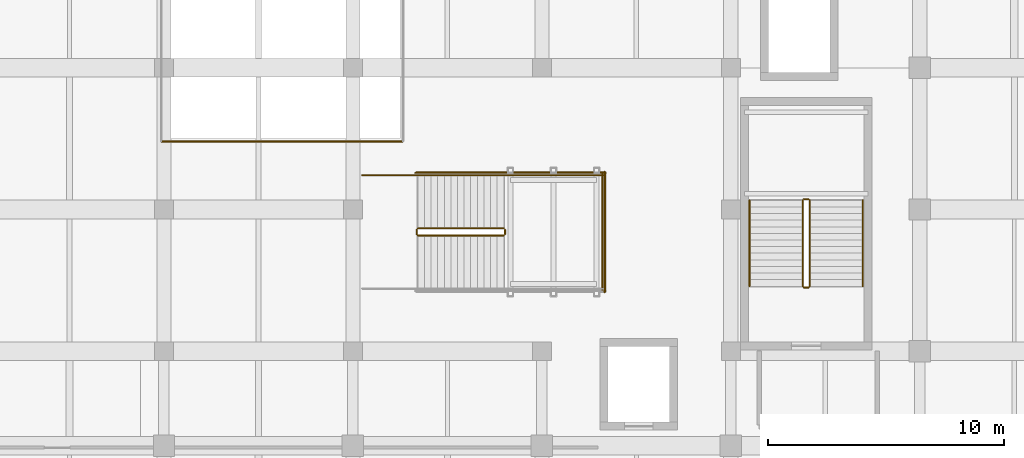
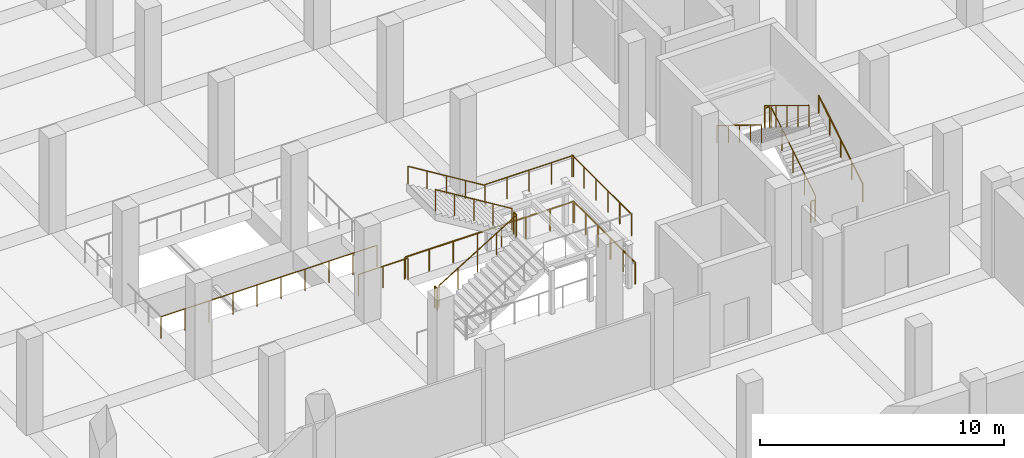
# One storey, part 32 of 36: 19 railings.
"""IFC4 building model written with IfcOpenShell, lengths in metres."""

from ifc_helpers import new_model, si_unit, direction, frame, origin, origin_2d, place, context, subcontext, project, spatial, circle, extrude, material, type_object, element, save


model = new_model("IFC4")

# Units and contexts
model_context = context("Model", 3, precision=1e-05, world=origin(), true_north=direction((0.0, 1.0)))
body_context = subcontext(model_context, "Body", "Model", "MODEL_VIEW")
ifc_project = project(units=[si_unit("LENGTHUNIT", "METRE"), si_unit("AREAUNIT", "SQUARE_METRE"), si_unit("VOLUMEUNIT", "CUBIC_METRE"), si_unit("PLANEANGLEUNIT", "RADIAN"), si_unit("MASSUNIT", "GRAM", prefix="KILO")], contexts=[model_context])

# Site, building, storey
site_placement = place(None, origin())
site = spatial("IfcSite", under=ifc_project, at=site_placement, CompositionType="ELEMENT")
building_placement = place(site_placement, origin())
building = spatial("IfcBuilding", under=site, at=building_placement, Name="Verrall Gate Interchange", CompositionType="ELEMENT")
storey_placement = place(building_placement, frame((0.0, 0.0, -4.800048828125)))
storey = spatial("IfcBuildingStorey", under=building, at=storey_placement, Name="B1", CompositionType="ELEMENT", Elevation=-4.800048828125)

# Railings
ifc_material_1 = material(Name="Brushed Stainless-Steel Guardrail and Handrail System", Category="steel")
railing_type_1 = type_object("IfcRailingType", Name="GR-02 Interior Atrium and Stair Guardrail 1100", PredefinedType="GUARDRAIL", material=ifc_material_1)
railing_1_placement = place(storey_placement, frame((103.340087890625, 18.75, 0.17138671875)))
element("IfcRailing", 1, at=railing_1_placement, inside=storey, type_object=railing_type_1, Name="B1 ST-06 stair guard 1", PredefinedType="GUARDRAIL", context=body_context, shape_type="SweptSolid", body=[
    extrude(circle(Radius=0.02392578125, at=origin_2d()), frame((0.0, 0.0, 1.076171875), z_axis=(0.0, 0.852824790078, 0.522197163366), x_axis=(-1.0, 0.0, 0.0)), (0.0, 0.0, 1.0), 4.26806640625),
    extrude(circle(Radius=0.02099609375, at=origin_2d()), origin(), (0.0, 0.0, 1.0), 1.052001953125),
    extrude(circle(Radius=0.02099609375, at=origin_2d()), frame((0.0, 0.909912109375, 0.55712890625)), (0.0, 0.0, 1.0), 1.052001953125),
    extrude(circle(Radius=0.02099609375, at=origin_2d()), frame((0.0, 1.81982421875, 1.1142578125)), (0.0, 0.0, 1.0), 1.052001953125),
    extrude(circle(Radius=0.02099609375, at=origin_2d()), frame((0.0, 2.72998046875, 1.671630859375)), (0.0, 0.0, 1.0), 1.052001953125),
    extrude(circle(Radius=0.02099609375, at=origin_2d()), frame((0.0, 3.639892578125, 2.228759765625)), (0.0, 0.0, 1.0), 1.052001953125),
])
railing_2_placement = place(storey_placement, frame((103.2900390625, 22.43994140625, 2.400146484375)))
element("IfcRailing", 2, at=railing_2_placement, inside=storey, type_object=railing_type_1, Name="B1 ST-06 stair guard 2", PredefinedType="GUARDRAIL", context=body_context, shape_type="SweptSolid", body=[
    extrude(circle(Radius=0.02392578125, at=origin_2d()), frame((0.0, 0.0, 1.076171875), z_axis=(-1.0, 0.0, 0.0), x_axis=(0.0, -1.0, 0.0)), (0.0, 0.0, 1.0), 0.199951171875),
    extrude(circle(Radius=0.02099609375, at=origin_2d()), origin(), (0.0, 0.0, 1.0), 1.052001953125),
    extrude(circle(Radius=0.02099609375, at=origin_2d()), frame((-0.199951171875, 0.0, 0.0)), (0.0, 0.0, 1.0), 1.052001953125),
])
railing_3_placement = place(storey_placement, frame((103.0400390625, 22.389892578125, 2.571533203125)))
element("IfcRailing", 3, at=railing_3_placement, inside=storey, type_object=railing_type_1, Name="B1 ST-06 stair guard 3", PredefinedType="GUARDRAIL", context=body_context, shape_type="SweptSolid", body=[
    extrude(circle(Radius=0.02392578125, at=origin_2d()), frame((0.0, 0.0, 1.076171875), z_axis=(0.0, -0.852850264322, 0.5221555579), x_axis=(1.0, 0.0, 0.0)), (0.0, 0.0, 1.0), 4.267822265625),
    extrude(circle(Radius=0.02099609375, at=origin_2d()), origin(), (0.0, 0.0, 1.0), 1.052001953125),
    extrude(circle(Radius=0.02099609375, at=origin_2d()), frame((0.0, -0.909912109375, 0.55712890625)), (0.0, 0.0, 1.0), 1.052001953125),
    extrude(circle(Radius=0.02099609375, at=origin_2d()), frame((0.0, -1.81982421875, 1.1142578125)), (0.0, 0.0, 1.0), 1.052001953125),
    extrude(circle(Radius=0.02099609375, at=origin_2d()), frame((0.0, -2.72998046875, 1.67138671875)), (0.0, 0.0, 1.0), 1.052001953125),
    extrude(circle(Radius=0.02099609375, at=origin_2d()), frame((0.0, -3.639892578125, 2.228515625)), (0.0, 0.0, 1.0), 1.052001953125),
])
railing_4_placement = place(storey_placement, frame((103.2900390625, 18.699951171875, 0.0)))
element("IfcRailing", 4, at=railing_4_placement, inside=storey, type_object=railing_type_1, Name="B1 ST-06 stair guard 4", PredefinedType="GUARDRAIL", context=body_context, shape_type="SweptSolid", body=[
    extrude(circle(Radius=0.02392578125, at=origin_2d()), frame((0.0, 0.0, 1.076171875), z_axis=(-1.0, 0.0, 0.0), x_axis=(0.0, -1.0, 0.0)), (0.0, 0.0, 1.0), 0.199951171875),
    extrude(circle(Radius=0.02099609375, at=origin_2d()), origin(), (0.0, 0.0, 1.0), 1.052001953125),
    extrude(circle(Radius=0.02099609375, at=origin_2d()), frame((-0.199951171875, 0.0, 0.0)), (0.0, 0.0, 1.0), 1.052001953125),
])
railing_5_placement = place(storey_placement, frame((86.75, 20.89990234375, 0.17138671875)))
element("IfcRailing", 5, at=railing_5_placement, inside=storey, type_object=railing_type_1, Name="B1 ST-11 stair guard 1", PredefinedType="GUARDRAIL", context=body_context, shape_type="SweptSolid", body=[
    extrude(circle(Radius=0.02392578125, at=origin_2d()), frame((0.0, 0.0, 1.076171875), z_axis=(0.852824790078, 0.0, 0.522197163366), x_axis=(0.0, 1.0, 0.0)), (0.0, 0.0, 1.0), 4.26806640625),
    extrude(circle(Radius=0.02099609375, at=origin_2d()), origin(), (0.0, 0.0, 1.0), 1.052001953125),
    extrude(circle(Radius=0.02099609375, at=origin_2d()), frame((0.909912109375, 0.0, 0.55712890625)), (0.0, 0.0, 1.0), 1.052001953125),
    extrude(circle(Radius=0.02099609375, at=origin_2d()), frame((1.81982421875, 0.0, 1.1142578125)), (0.0, 0.0, 1.0), 1.052001953125),
    extrude(circle(Radius=0.02099609375, at=origin_2d()), frame((2.72998046875, 0.0, 1.671630859375)), (0.0, 0.0, 1.0), 1.052001953125),
    extrude(circle(Radius=0.02099609375, at=origin_2d()), frame((3.639892578125, 0.0, 2.228759765625)), (0.0, 0.0, 1.0), 1.052001953125),
])
railing_6_placement = place(storey_placement, frame((90.43994140625, 20.949951171875, 2.400146484375)))
element("IfcRailing", 6, at=railing_6_placement, inside=storey, type_object=railing_type_1, Name="B1 ST-11 stair guard 2", PredefinedType="GUARDRAIL", context=body_context, shape_type="SweptSolid", body=[
    extrude(circle(Radius=0.02392578125, at=origin_2d()), frame((0.0, 0.0, 1.076171875), z_axis=(0.0, 1.0, 0.0), x_axis=(-1.0, 0.0, 0.0)), (0.0, 0.0, 1.0), 0.199951171875),
    extrude(circle(Radius=0.02099609375, at=origin_2d()), origin(), (0.0, 0.0, 1.0), 1.052001953125),
    extrude(circle(Radius=0.02099609375, at=origin_2d()), frame((0.0, 0.199951171875, 0.0)), (0.0, 0.0, 1.0), 1.052001953125),
])
railing_7_placement = place(storey_placement, frame((90.389892578125, 23.449951171875, 2.400146484375)))
element("IfcRailing", 7, at=railing_7_placement, inside=storey, type_object=railing_type_1, Name="B1 ST-11 stair guard 4", PredefinedType="GUARDRAIL", context=body_context, shape_type="SweptSolid", body=[
    extrude(circle(Radius=0.02392578125, at=origin_2d()), frame((0.0, 0.0, 1.076171875), z_axis=(1.0, 0.0, 0.0), x_axis=(0.0, 1.0, 0.0)), (0.0, 0.0, 1.0), 4.210205078125),
    extrude(circle(Radius=0.02099609375, at=origin_2d()), origin(), (0.0, 0.0, 1.0), 1.052001953125),
    extrude(circle(Radius=0.02099609375, at=origin_2d()), frame((1.052490234375, 0.0, 0.0)), (0.0, 0.0, 1.0), 1.052001953125),
    extrude(circle(Radius=0.02099609375, at=origin_2d()), frame((2.10498046875, 0.0, 0.0)), (0.0, 0.0, 1.0), 1.052001953125),
    extrude(circle(Radius=0.02099609375, at=origin_2d()), frame((3.15771484375, 0.0, 0.0)), (0.0, 0.0, 1.0), 1.052001953125),
    extrude(circle(Radius=0.02099609375, at=origin_2d()), frame((4.210205078125, 0.0, 0.0)), (0.0, 0.0, 1.0), 1.052001953125),
])
railing_8_placement = place(storey_placement, frame((94.550048828125, 18.60009765625, 2.400146484375)))
element("IfcRailing", 8, at=railing_8_placement, inside=storey, type_object=railing_type_1, Name="B1 ST-11 stair guard 5", PredefinedType="GUARDRAIL", context=body_context, shape_type="SweptSolid", body=[
    extrude(circle(Radius=0.02392578125, at=origin_2d()), frame((0.0, 0.0, 1.076171875), z_axis=(0.0, 1.0, 0.0), x_axis=(-1.0, 0.0, 0.0)), (0.0, 0.0, 1.0), 4.89990234375),
    extrude(circle(Radius=0.02099609375, at=origin_2d()), origin(), (0.0, 0.0, 1.0), 1.052001953125),
    extrude(circle(Radius=0.02099609375, at=origin_2d()), frame((0.0, 0.97998046875, 0.0)), (0.0, 0.0, 1.0), 1.052001953125),
    extrude(circle(Radius=0.02099609375, at=origin_2d()), frame((0.0, 1.9599609375, 0.0)), (0.0, 0.0, 1.0), 1.052001953125),
    extrude(circle(Radius=0.02099609375, at=origin_2d()), frame((0.0, 2.93994140625, 0.0)), (0.0, 0.0, 1.0), 1.052001953125),
    extrude(circle(Radius=0.02099609375, at=origin_2d()), frame((0.0, 3.919921875, 0.0)), (0.0, 0.0, 1.0), 1.052001953125),
    extrude(circle(Radius=0.02099609375, at=origin_2d()), frame((0.0, 4.89990234375, 0.0)), (0.0, 0.0, 1.0), 1.052001953125),
])
railing_9_placement = place(storey_placement, frame((90.389892578125, 21.199951171875, 2.571533203125)))
element("IfcRailing", 9, at=railing_9_placement, inside=storey, type_object=railing_type_1, Name="B1 ST-11 stair guard 6", PredefinedType="GUARDRAIL", context=body_context, shape_type="SweptSolid", body=[
    extrude(circle(Radius=0.02392578125, at=origin_2d()), frame((0.0, 0.0, 1.076171875), z_axis=(-0.852850264322, 0.0, 0.5221555579), x_axis=(0.0, -1.0, 0.0)), (0.0, 0.0, 1.0), 4.267822265625),
    extrude(circle(Radius=0.02099609375, at=origin_2d()), origin(), (0.0, 0.0, 1.0), 1.052001953125),
    extrude(circle(Radius=0.02099609375, at=origin_2d()), frame((-0.909912109375, 0.0, 0.55712890625)), (0.0, 0.0, 1.0), 1.052001953125),
    extrude(circle(Radius=0.02099609375, at=origin_2d()), frame((-1.81982421875, 0.0, 1.1142578125)), (0.0, 0.0, 1.0), 1.052001953125),
    extrude(circle(Radius=0.02099609375, at=origin_2d()), frame((-2.72998046875, 0.0, 1.67138671875)), (0.0, 0.0, 1.0), 1.052001953125),
    extrude(circle(Radius=0.02099609375, at=origin_2d()), frame((-3.639892578125, 0.0, 2.228515625)), (0.0, 0.0, 1.0), 1.052001953125),
])
railing_10_placement = place(storey_placement, frame((86.699951171875, 20.949951171875, 0.0)))
element("IfcRailing", 10, at=railing_10_placement, inside=storey, type_object=railing_type_1, Name="B1 ST-11 stair guard 7", PredefinedType="GUARDRAIL", context=body_context, shape_type="SweptSolid", body=[
    extrude(circle(Radius=0.02392578125, at=origin_2d()), frame((0.0, 0.0, 1.076171875), z_axis=(0.0, 1.0, 0.0), x_axis=(-1.0, 0.0, 0.0)), (0.0, 0.0, 1.0), 0.199951171875),
    extrude(circle(Radius=0.02099609375, at=origin_2d()), origin(), (0.0, 0.0, 1.0), 1.052001953125),
    extrude(circle(Radius=0.02099609375, at=origin_2d()), frame((0.0, 0.199951171875, 0.0)), (0.0, 0.0, 1.0), 1.052001953125),
])
railing_11_placement = place(storey_placement, frame((84.39990234375, 23.449951171875, 0.0)))
element("IfcRailing", 11, at=railing_11_placement, inside=storey, type_object=railing_type_1, Name="B1 ST-11 stair guard 9", PredefinedType="GUARDRAIL", context=body_context, shape_type="SweptSolid", body=[
    extrude(circle(Radius=0.02392578125, at=origin_2d()), frame((0.0, 0.0, 1.076171875), z_axis=(1.0, 0.0, 0.0), x_axis=(0.0, 1.0, 0.0)), (0.0, 0.0, 1.0), 2.35009765625),
    extrude(circle(Radius=0.02099609375, at=origin_2d()), origin(), (0.0, 0.0, 1.0), 1.052001953125),
    extrude(circle(Radius=0.02099609375, at=origin_2d()), frame((1.175048828125, 0.0, 0.0)), (0.0, 0.0, 1.0), 1.052001953125),
    extrude(circle(Radius=0.02099609375, at=origin_2d()), frame((2.35009765625, 0.0, 0.0)), (0.0, 0.0, 1.0), 1.052001953125),
])
railing_12_placement = place(storey_placement, frame((86.64990234375, 23.550048828125, 0.0)))
element("IfcRailing", 12, at=railing_12_placement, inside=storey, type_object=railing_type_1, Name="B1 ST-11 stair guard 11", PredefinedType="GUARDRAIL", context=body_context, shape_type="SweptSolid", body=[
    extrude(circle(Radius=0.02392578125, at=origin_2d()), frame((0.0, 0.0, 1.076171875), z_axis=(1.0, 0.0, 0.0), x_axis=(0.0, 1.0, 0.0)), (0.0, 0.0, 1.0), 8.050048828125),
    extrude(circle(Radius=0.02099609375, at=origin_2d()), origin(), (0.0, 0.0, 1.0), 1.052001953125),
    extrude(circle(Radius=0.02099609375, at=origin_2d()), frame((1.14990234375, 0.0, 0.0)), (0.0, 0.0, 1.0), 1.052001953125),
    extrude(circle(Radius=0.02099609375, at=origin_2d()), frame((2.300048828125, 0.0, 0.0)), (0.0, 0.0, 1.0), 1.052001953125),
    extrude(circle(Radius=0.02099609375, at=origin_2d()), frame((3.449951171875, 0.0, 0.0)), (0.0, 0.0, 1.0), 1.052001953125),
    extrude(circle(Radius=0.02099609375, at=origin_2d()), frame((4.60009765625, 0.0, 0.0)), (0.0, 0.0, 1.0), 1.052001953125),
    extrude(circle(Radius=0.02099609375, at=origin_2d()), frame((5.75, 0.0, 0.0)), (0.0, 0.0, 1.0), 1.052001953125),
    extrude(circle(Radius=0.02099609375, at=origin_2d()), frame((6.900146484375, 0.0, 0.0)), (0.0, 0.0, 1.0), 1.052001953125),
    extrude(circle(Radius=0.02099609375, at=origin_2d()), frame((8.050048828125, 0.0, 0.0)), (0.0, 0.0, 1.0), 1.052001953125),
])
railing_13_placement = place(storey_placement, frame((94.64990234375, 18.5, 0.0)))
element("IfcRailing", 13, at=railing_13_placement, inside=storey, type_object=railing_type_1, Name="B1 ST-11 stair guard 12", PredefinedType="GUARDRAIL", context=body_context, shape_type="SweptSolid", body=[
    extrude(circle(Radius=0.02392578125, at=origin_2d()), frame((0.0, 0.0, 1.076171875), z_axis=(0.0, 1.0, 0.0), x_axis=(-1.0, 0.0, 0.0)), (0.0, 0.0, 1.0), 5.10009765625),
    extrude(circle(Radius=0.02099609375, at=origin_2d()), origin(), (0.0, 0.0, 1.0), 1.052001953125),
    extrude(circle(Radius=0.02099609375, at=origin_2d()), frame((0.0, 1.02001953125, 0.0)), (0.0, 0.0, 1.0), 1.052001953125),
    extrude(circle(Radius=0.02099609375, at=origin_2d()), frame((0.0, 2.0400390625, 0.0)), (0.0, 0.0, 1.0), 1.052001953125),
    extrude(circle(Radius=0.02099609375, at=origin_2d()), frame((0.0, 3.06005859375, 0.0)), (0.0, 0.0, 1.0), 1.052001953125),
    extrude(circle(Radius=0.02099609375, at=origin_2d()), frame((0.0, 4.080078125, 0.0)), (0.0, 0.0, 1.0), 1.052001953125),
    extrude(circle(Radius=0.02099609375, at=origin_2d()), frame((0.0, 5.10009765625, 0.0)), (0.0, 0.0, 1.0), 1.052001953125),
])
railing_14_placement = place(storey_placement, frame((94.679931640625, 18.52001953125, 0.0)))
element("IfcRailing", 14, at=railing_14_placement, inside=storey, type_object=railing_type_1, Name="B1 ST-11 Well Edge Guardrail 2", PredefinedType="GUARDRAIL", context=body_context, shape_type="SweptSolid", body=[
    extrude(circle(Radius=0.02392578125, at=origin_2d()), frame((0.0, 0.0, 1.076171875), z_axis=(0.0, 1.0, 0.0), x_axis=(-1.0, 0.0, 0.0)), (0.0, 0.0, 1.0), 5.06005859375),
    extrude(circle(Radius=0.02099609375, at=origin_2d()), origin(), (0.0, 0.0, 1.0), 1.052001953125),
    extrude(circle(Radius=0.02099609375, at=origin_2d()), frame((0.0, 1.011962890625, 0.0)), (0.0, 0.0, 1.0), 1.052001953125),
    extrude(circle(Radius=0.02099609375, at=origin_2d()), frame((0.0, 2.02392578125, 0.0)), (0.0, 0.0, 1.0), 1.052001953125),
    extrude(circle(Radius=0.02099609375, at=origin_2d()), frame((0.0, 3.0361328125, 0.0)), (0.0, 0.0, 1.0), 1.052001953125),
    extrude(circle(Radius=0.02099609375, at=origin_2d()), frame((0.0, 4.048095703125, 0.0)), (0.0, 0.0, 1.0), 1.052001953125),
    extrude(circle(Radius=0.02099609375, at=origin_2d()), frame((0.0, 5.06005859375, 0.0)), (0.0, 0.0, 1.0), 1.052001953125),
])
railing_15_placement = place(storey_placement, frame((94.679931640625, 23.580078125, 0.0)))
element("IfcRailing", 15, at=railing_15_placement, inside=storey, type_object=railing_type_1, Name="B1 ST-11 Well Edge Guardrail 3", PredefinedType="GUARDRAIL", context=body_context, shape_type="SweptSolid", body=[
    extrude(circle(Radius=0.02392578125, at=origin_2d()), frame((0.0, 0.0, 1.076171875), z_axis=(-1.0, 0.0, 0.0), x_axis=(0.0, -1.0, 0.0)), (0.0, 0.0, 1.0), 7.97998046875),
    extrude(circle(Radius=0.02099609375, at=origin_2d()), origin(), (0.0, 0.0, 1.0), 1.052001953125),
    extrude(circle(Radius=0.02099609375, at=origin_2d()), frame((-1.139892578125, 0.0, 0.0)), (0.0, 0.0, 1.0), 1.052001953125),
    extrude(circle(Radius=0.02099609375, at=origin_2d()), frame((-2.280029296875, 0.0, 0.0)), (0.0, 0.0, 1.0), 1.052001953125),
    extrude(circle(Radius=0.02099609375, at=origin_2d()), frame((-3.419921875, 0.0, 0.0)), (0.0, 0.0, 1.0), 1.052001953125),
    extrude(circle(Radius=0.02099609375, at=origin_2d()), frame((-4.56005859375, 0.0, 0.0)), (0.0, 0.0, 1.0), 1.052001953125),
    extrude(circle(Radius=0.02099609375, at=origin_2d()), frame((-5.699951171875, 0.0, 0.0)), (0.0, 0.0, 1.0), 1.052001953125),
    extrude(circle(Radius=0.02099609375, at=origin_2d()), frame((-6.840087890625, 0.0, 0.0)), (0.0, 0.0, 1.0), 1.052001953125),
    extrude(circle(Radius=0.02099609375, at=origin_2d()), frame((-7.97998046875, 0.0, 0.0)), (0.0, 0.0, 1.0), 1.052001953125),
])
railing_16_placement = place(storey_placement, frame((75.8798828125, 24.8798828125, 0.0)))
element("IfcRailing", 16, at=railing_16_placement, inside=storey, type_object=railing_type_1, Name="B1 ESC-E Perimeter Guardrail 21", PredefinedType="GUARDRAIL", context=body_context, shape_type="SweptSolid", body=[
    extrude(circle(Radius=0.02392578125, at=origin_2d()), frame((0.0, 0.0, 1.076171875), z_axis=(1.0, 0.0, 0.0), x_axis=(0.0, 1.0, 0.0)), (0.0, 0.0, 1.0), 10.240234375),
    extrude(circle(Radius=0.02099609375, at=origin_2d()), origin(), (0.0, 0.0, 1.0), 1.052001953125),
    extrude(circle(Radius=0.02099609375, at=origin_2d()), frame((1.1376953125, 0.0, 0.0)), (0.0, 0.0, 1.0), 1.052001953125),
    extrude(circle(Radius=0.02099609375, at=origin_2d()), frame((2.275634765625, 0.0, 0.0)), (0.0, 0.0, 1.0), 1.052001953125),
    extrude(circle(Radius=0.02099609375, at=origin_2d()), frame((3.413330078125, 0.0, 0.0)), (0.0, 0.0, 1.0), 1.052001953125),
    extrude(circle(Radius=0.02099609375, at=origin_2d()), frame((4.55126953125, 0.0, 0.0)), (0.0, 0.0, 1.0), 1.052001953125),
    extrude(circle(Radius=0.02099609375, at=origin_2d()), frame((5.68896484375, 0.0, 0.0)), (0.0, 0.0, 1.0), 1.052001953125),
    extrude(circle(Radius=0.02099609375, at=origin_2d()), frame((6.826904296875, 0.0, 0.0)), (0.0, 0.0, 1.0), 1.052001953125),
    extrude(circle(Radius=0.02099609375, at=origin_2d()), frame((7.964599609375, 0.0, 0.0)), (0.0, 0.0, 1.0), 1.052001953125),
    extrude(circle(Radius=0.02099609375, at=origin_2d()), frame((9.1025390625, 0.0, 0.0)), (0.0, 0.0, 1.0), 1.052001953125),
    extrude(circle(Radius=0.02099609375, at=origin_2d()), frame((10.240234375, 0.0, 0.0)), (0.0, 0.0, 1.0), 1.052001953125),
])
ifc_material_2 = material(Name="Brushed Stainless-Steel Guardrail and Handrail System", Category="steel")
railing_type_2 = type_object("IfcRailingType", Name="HR-01 Stair and Ramp Pitch-Line Handrail 920", PredefinedType="HANDRAIL", material=ifc_material_2)
railing_17_placement = place(storey_placement, frame((105.590087890625, 18.75, 0.17138671875)))
element("IfcRailing", 17, at=railing_17_placement, inside=storey, type_object=railing_type_2, Name="B1 ST-06 stair handrail 1", PredefinedType="HANDRAIL", context=body_context, shape_type="SweptSolid", body=[
    extrude(circle(Radius=0.02392578125, at=origin_2d()), frame((0.0, 0.0, 0.8759765625), z_axis=(0.0, 0.852824790078, 0.522197163366), x_axis=(-1.0, 0.0, 0.0)), (0.0, 0.0, 1.0), 4.26806640625),
    extrude(circle(Radius=0.02099609375, at=origin_2d()), origin(), (0.0, 0.0, 1.0), 0.851806640625),
    extrude(circle(Radius=0.02099609375, at=origin_2d()), frame((0.0, 0.909912109375, 0.55712890625)), (0.0, 0.0, 1.0), 0.851806640625),
    extrude(circle(Radius=0.02099609375, at=origin_2d()), frame((0.0, 1.81982421875, 1.1142578125)), (0.0, 0.0, 1.0), 0.851806640625),
    extrude(circle(Radius=0.02099609375, at=origin_2d()), frame((0.0, 2.72998046875, 1.671630859375)), (0.0, 0.0, 1.0), 0.851806640625),
    extrude(circle(Radius=0.02099609375, at=origin_2d()), frame((0.0, 3.639892578125, 2.228759765625)), (0.0, 0.0, 1.0), 0.851806640625),
])
railing_18_placement = place(storey_placement, frame((100.7900390625, 22.389892578125, 2.571533203125)))
element("IfcRailing", 18, at=railing_18_placement, inside=storey, type_object=railing_type_2, Name="B1 ST-06 stair handrail 2", PredefinedType="HANDRAIL", context=body_context, shape_type="SweptSolid", body=[
    extrude(circle(Radius=0.02392578125, at=origin_2d()), frame((0.0, 0.0, 0.8759765625), z_axis=(0.0, -0.852850264322, 0.5221555579), x_axis=(1.0, 0.0, 0.0)), (0.0, 0.0, 1.0), 4.267822265625),
    extrude(circle(Radius=0.02099609375, at=origin_2d()), origin(), (0.0, 0.0, 1.0), 0.851806640625),
    extrude(circle(Radius=0.02099609375, at=origin_2d()), frame((0.0, -0.909912109375, 0.55712890625)), (0.0, 0.0, 1.0), 0.851806640625),
    extrude(circle(Radius=0.02099609375, at=origin_2d()), frame((0.0, -1.81982421875, 1.1142578125)), (0.0, 0.0, 1.0), 0.851806640625),
    extrude(circle(Radius=0.02099609375, at=origin_2d()), frame((0.0, -2.72998046875, 1.67138671875)), (0.0, 0.0, 1.0), 0.851806640625),
    extrude(circle(Radius=0.02099609375, at=origin_2d()), frame((0.0, -3.639892578125, 2.228515625)), (0.0, 0.0, 1.0), 0.851806640625),
])
railing_19_placement = place(storey_placement, frame((90.389892578125, 23.449951171875, 2.571533203125)))
element("IfcRailing", 19, at=railing_19_placement, inside=storey, type_object=railing_type_2, Name="B1 ST-11 stair handrail 2", PredefinedType="HANDRAIL", context=body_context, shape_type="SweptSolid", body=[
    extrude(circle(Radius=0.02392578125, at=origin_2d()), frame((0.0, 0.0, 0.8759765625), z_axis=(-0.852850264322, 0.0, 0.5221555579), x_axis=(0.0, -1.0, 0.0)), (0.0, 0.0, 1.0), 4.267822265625),
    extrude(circle(Radius=0.02099609375, at=origin_2d()), origin(), (0.0, 0.0, 1.0), 0.851806640625),
    extrude(circle(Radius=0.02099609375, at=origin_2d()), frame((-0.909912109375, 0.0, 0.55712890625)), (0.0, 0.0, 1.0), 0.851806640625),
    extrude(circle(Radius=0.02099609375, at=origin_2d()), frame((-1.81982421875, 0.0, 1.1142578125)), (0.0, 0.0, 1.0), 0.851806640625),
    extrude(circle(Radius=0.02099609375, at=origin_2d()), frame((-2.72998046875, 0.0, 1.67138671875)), (0.0, 0.0, 1.0), 0.851806640625),
    extrude(circle(Radius=0.02099609375, at=origin_2d()), frame((-3.639892578125, 0.0, 2.228515625)), (0.0, 0.0, 1.0), 0.851806640625),
])

save(model, "model.ifc")
